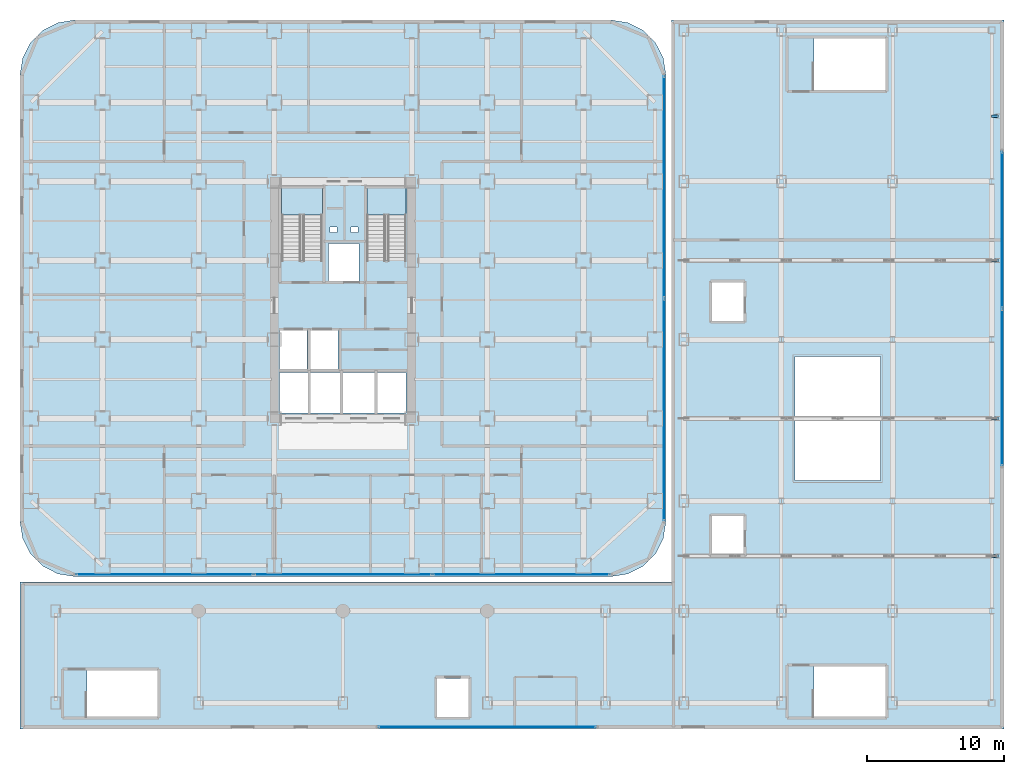
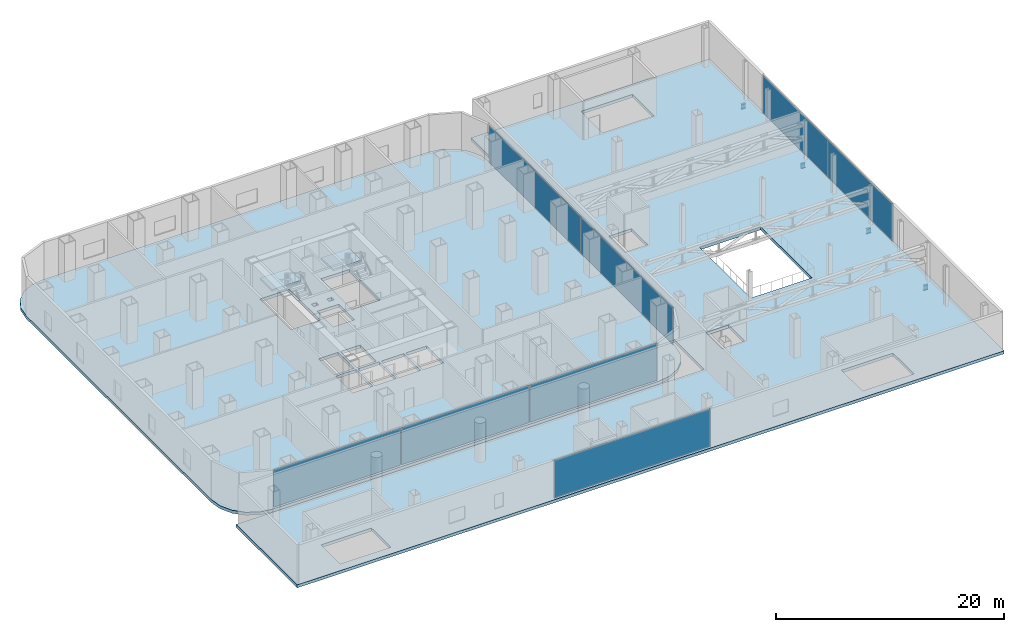
# One storey, part 20 of 28: 8 plates, 4 beams, 4 slabs, 6 elements without a shape of their own.
"""IFC4 building model written with IfcOpenShell, lengths in metres."""

from ifc_helpers import new_model, si_unit, direction, frame, origin, origin_2d, place, context, subcontext, project, spatial, polyline, rectangle, i_section, outline, extrude, source, transform, mapped, material, layer, layer_set, material_profile, profile_set, type_object, element, aggregate, save


model = new_model("IFC4")

# Units and contexts
model_context = context("Model", 3, precision=1e-05, world=origin(), true_north=direction((0.0, 1.0)))
body_context = subcontext(model_context, "Body", "Model", "MODEL_VIEW")
ifc_project = project(units=[si_unit("LENGTHUNIT", "METRE"), si_unit("AREAUNIT", "SQUARE_METRE"), si_unit("VOLUMEUNIT", "CUBIC_METRE"), si_unit("PLANEANGLEUNIT", "RADIAN"), si_unit("MASSUNIT", "GRAM", prefix="KILO")], contexts=[model_context])

# Site, building, storey
site_placement = place(None, origin())
site = spatial("IfcSite", under=ifc_project, at=site_placement, CompositionType="ELEMENT")
building_placement = place(site_placement, origin())
building = spatial("IfcBuilding", under=site, at=building_placement, Name="Kolveth Station Tower", CompositionType="ELEMENT")
storey_placement = place(building_placement, frame((0.0, 0.0, 18.0)))
storey = spatial("IfcBuildingStorey", under=building, at=storey_placement, Name="L04", CompositionType="ELEMENT", Elevation=18.0)

# Beams
ifc_material_1 = material(Name="Steel S355", Category="steel")
ifc_material_profile = material_profile(ifc_material_1, i_section(OverallWidth=0.2099609375, OverallDepth=0.537109375, WebThickness=0.010986328125, FlangeThickness=0.017333984375, at=origin_2d()), Name="W530x101")
ifc_profile_set = profile_set([ifc_material_profile], Name="Steel S355")
beam_type = type_object("IfcBeamType", Name="Beam_B6", PredefinedType="BEAM", material=ifc_profile_set)
shared_shape_1 = source(origin(), body_context, "Body", "SweptSolid", [
    extrude(i_section(OverallWidth=0.2099609375, OverallDepth=0.537109375, WebThickness=0.010986328125, FlangeThickness=0.017333984375, at=origin_2d()), origin(), (0.0, 0.0, 1.0), 0.449951171875),
])
for number, where, z_axis, x_axis, name in (
    (1, (70.699951171875, 1.5, -0.58837890625), (1.0, 0.0, 0.0), (0.0, 1.0, 0.0), "L04 Pilaster Tie Beam SBM-L04-SPL-1"),
    (2, (70.699951171875, 11.5, -0.58837890625), (1.0, 0.0, 0.0), (0.0, 1.0, 0.0), "L04 Pilaster Tie Beam SBM-L04-SPL-2"),
    (3, (70.699951171875, 23.0, -0.58837890625), (1.0, 0.0, 0.0), (0.0, 1.0, 0.0), "L04 Pilaster Tie Beam SBM-L04-SPL-3"),
    (4, (70.699951171875, 33.5, -0.58837890625), (1.0, 0.0, 0.0), (0.0, 1.0, 0.0), "L04 Pilaster Tie Beam SBM-L04-SPL-4"),
):
    element("IfcBeam", number, at=place(storey_placement, frame(where, z_axis=z_axis, x_axis=x_axis)), inside=storey, type_object=beam_type, Name=name, PredefinedType="BEAM", context=body_context, shape_type="MappedRepresentation", body=[
        mapped(shared_shape_1, transform((0.0, 0.0, 0.0), x_axis=(1.0, 0.0, 0.0), y_axis=(0.0, 1.0, 0.0), z_axis=(0.0, 0.0, 1.0), scale=1.0)),
    ])

# Slabs
ifc_material_2 = material(Name="Concrete C50/60", Category="concrete")
ifc_layer_1 = layer(ifc_material_2, 0.320068359375)
ifc_layer_set_1 = layer_set([ifc_layer_1], Name="Concrete C50/60")
slab_type_1 = type_object("IfcSlabType", Name="Slab_SF-320", PredefinedType="FLOOR", material=ifc_layer_set_1)
slab_1_placement = place(storey_placement, frame((0.0, 0.0, -0.320068359375)))
element("IfcSlab", 5, at=slab_1_placement, inside=storey, type_object=slab_type_1, Name="L04 Tower Structural Floor Slab", PredefinedType="FLOOR", context=body_context, shape_type="SweptSolid", body=[
    extrude(outline(polyline([(43.0, 0.0), (44.236083984375, 0.19580078125), (45.35107421875, 0.763916015625), (46.236083984375, 1.64892578125), (46.80419921875, 2.763916015625), (47.0, 4.0), (47.0, 36.5), (46.80419921875, 37.736083984375), (46.236083984375, 38.85107421875), (45.35107421875, 39.736083984375), (44.236083984375, 40.30419921875), (43.0, 40.5), (4.0, 40.5), (2.763916015625, 40.30419921875), (1.64892578125, 39.736083984375), (0.763916015625, 38.85107421875), (0.19580078125, 37.736083984375), (0.0, 36.5), (0.0, 4.0), (0.19580078125, 2.763916015625), (0.763916015625, 1.64892578125), (1.64892578125, 0.763916015625), (2.763916015625, 0.19580078125), (4.0, 0.0), (43.0, 0.0)]), holes=[polyline([(19.0400390625, 22.985107421875), (22.0, 22.985107421875), (22.0, 28.39990234375), (19.0400390625, 28.39990234375), (19.0400390625, 22.985107421875)]), polyline([(25.239990234375, 22.985107421875), (28.10009765625, 22.985107421875), (28.10009765625, 28.39990234375), (25.239990234375, 28.39990234375), (25.239990234375, 22.985107421875)]), polyline([(18.89990234375, 15.10009765625), (20.89990234375, 15.10009765625), (20.89990234375, 17.89990234375), (18.89990234375, 17.89990234375), (18.89990234375, 15.10009765625)]), polyline([(21.14990234375, 15.10009765625), (23.14990234375, 15.10009765625), (23.14990234375, 17.89990234375), (21.14990234375, 17.89990234375), (21.14990234375, 15.10009765625)]), polyline([(22.449951171875, 21.5), (24.64990234375, 21.5), (24.64990234375, 24.25), (22.449951171875, 24.25), (22.449951171875, 21.5)]), polyline([(18.89990234375, 11.89990234375), (20.949951171875, 11.89990234375), (20.949951171875, 14.85009765625), (18.89990234375, 14.85009765625), (18.89990234375, 11.89990234375)]), polyline([(21.14990234375, 11.89990234375), (23.300048828125, 11.89990234375), (23.300048828125, 14.85009765625), (21.14990234375, 14.85009765625), (21.14990234375, 11.89990234375)]), polyline([(23.5, 11.89990234375), (25.800048828125, 11.89990234375), (25.800048828125, 14.85009765625), (23.5, 14.85009765625), (23.5, 11.89990234375)]), polyline([(26.0, 11.89990234375), (28.10009765625, 11.89990234375), (28.10009765625, 14.85009765625), (26.0, 14.85009765625), (26.0, 11.89990234375)]), polyline([(22.550048828125, 25.050048828125), (23.050048828125, 25.050048828125), (23.050048828125, 25.449951171875), (22.550048828125, 25.449951171875), (22.550048828125, 25.050048828125)]), polyline([(24.10009765625, 25.050048828125), (24.60009765625, 25.050048828125), (24.60009765625, 25.449951171875), (24.10009765625, 25.449951171875), (24.10009765625, 25.050048828125)])]), origin(), (0.0, 0.0, 1.0), 0.320068359375),
])
slab_2_placement = place(storey_placement, frame((0.0, 0.0, -0.320068359375)))
element("IfcSlab", 6, at=slab_2_placement, inside=storey, type_object=slab_type_1, Name="L04 Intermodal Station Floor Slab", PredefinedType="FLOOR", context=body_context, shape_type="SweptSolid", body=[
    extrude(outline(polyline([(0.0, -11.10009765625), (71.60009765625, -11.10009765625), (71.60009765625, 40.5), (47.39990234375, 40.5), (47.39990234375, -0.39990234375), (0.0, -0.39990234375), (0.0, -11.10009765625)]), holes=[polyline([(57.784912109375, 35.39990234375), (63.0, 35.39990234375), (63.0, 39.159912109375), (57.784912109375, 39.159912109375), (57.784912109375, 35.39990234375)]), polyline([(57.784912109375, -10.199951171875), (63.0, -10.199951171875), (63.0, -6.5400390625), (57.784912109375, -6.5400390625), (57.784912109375, -10.199951171875)]), polyline([(4.885009765625, -10.199951171875), (10.0, -10.199951171875), (10.0, -6.840087890625), (4.885009765625, -6.840087890625), (4.885009765625, -10.199951171875)]), polyline([(50.35009765625, 1.60009765625), (52.64990234375, 1.60009765625), (52.64990234375, 4.39990234375), (50.35009765625, 4.39990234375), (50.35009765625, 1.60009765625)]), polyline([(50.35009765625, 18.60009765625), (52.64990234375, 18.60009765625), (52.64990234375, 21.39990234375), (50.35009765625, 21.39990234375), (50.35009765625, 18.60009765625)]), polyline([(30.35009765625, -10.199951171875), (32.64990234375, -10.199951171875), (32.64990234375, -7.39990234375), (30.35009765625, -7.39990234375), (30.35009765625, -10.199951171875)]), polyline([(56.39990234375, 7.0), (62.60009765625, 7.0), (62.60009765625, 16.0), (56.39990234375, 16.0), (56.39990234375, 7.0)])]), origin(), (0.0, 0.0, 1.0), 0.320068359375),
])

# Stair, slab
ifc_material_3 = material(Name="Concrete C40/50", Category="concrete")
stair_type_1 = type_object("IfcStairType", Name="Stair_ST2", PredefinedType="HALF_TURN_STAIR", material=ifc_material_3)
stair_1_placement = place(storey_placement, origin())
stair_1 = element("IfcStair", 7, at=stair_1_placement, inside=storey, type_object=stair_type_1, Name="L04 Tower Exit Stair ST2", PredefinedType="HALF_TURN_STAIR")
ifc_layer_2 = layer(ifc_material_3, 0.18994140625)
ifc_layer_set_2 = layer_set([ifc_layer_2], Name="Concrete C40/50")
slab_type_2 = type_object("IfcSlabType", Name="Slab_SL-190", PredefinedType="LANDING", material=ifc_layer_set_2)
slab_3_placement = place(storey_placement, frame((0.0, 0.0, 2.050048828125)))
slab_3 = element("IfcSlab", 8, at=slab_3_placement, type_object=slab_type_2, Name="ST2 landing 1", PredefinedType="LANDING", context=body_context, shape_type="SweptSolid", body=[
    extrude(outline(polyline([(28.10009765625, 26.31005859375), (28.10009765625, 28.39990234375), (25.239990234375, 28.39990234375), (25.239990234375, 26.31005859375), (28.10009765625, 26.31005859375)])), origin(), (0.0, 0.0, 1.0), 0.199951171875),
])
aggregate(stair_1, [slab_3])

stair_type_2 = type_object("IfcStairType", Name="Stair_ST1", PredefinedType="HALF_TURN_STAIR", material=ifc_material_3)
stair_2_placement = place(storey_placement, origin())
stair_2 = element("IfcStair", 9, at=stair_2_placement, inside=storey, type_object=stair_type_2, Name="L04 Tower Exit Stair ST1", PredefinedType="HALF_TURN_STAIR")
ifc_layer_3 = layer(ifc_material_3, 0.205078125)
ifc_layer_set_3 = layer_set([ifc_layer_3], Name="Concrete C40/50")
slab_type_3 = type_object("IfcSlabType", Name="Slab_SL-205", PredefinedType="LANDING", material=ifc_layer_set_3)
slab_4_placement = place(storey_placement, frame((0.0, 0.0, 2.050048828125)))
slab_4 = element("IfcSlab", 10, at=slab_4_placement, type_object=slab_type_3, Name="ST1 landing 1", PredefinedType="LANDING", context=body_context, shape_type="SweptSolid", body=[
    extrude(outline(polyline([(22.0, 26.31005859375), (22.0, 28.39990234375), (19.0400390625, 28.39990234375), (19.0400390625, 26.31005859375), (22.0, 26.31005859375)])), origin(), (0.0, 0.0, 1.0), 0.199951171875),
])
aggregate(stair_2, [slab_4])

# Curtain wall, plates
ifc_material_4 = material(Name="Black anodized aluminium 6063-T6 and clear station glass", Category="aluminium")
ifc_layer_4 = layer(ifc_material_4, 0.239990234375)
ifc_layer_set_4 = layer_set([ifc_layer_4], Name="Black anodized aluminium 6063-T6 and clear station glass")
curtain_wall_type = type_object("IfcCurtainWallType", Name="CurtainWall_CW-ST", PredefinedType="NOTDEFINED", material=ifc_layer_set_4)
curtain_wall_1_placement = place(storey_placement, origin())
curtain_wall_1 = element("IfcCurtainWall", 11, at=curtain_wall_1_placement, inside=storey, type_object=curtain_wall_type, Name="L04 Tower Podium South Storefront Curtain Wall", PredefinedType="NOTDEFINED")
ifc_material_5 = material(Name="Architectural low-E dark glass", Category="glass")
ifc_layer_5 = layer(ifc_material_5, 0.031982421875)
ifc_layer_set_5 = layer_set([ifc_layer_5], Name="Architectural low-E dark glass")
plate_type = type_object("IfcPlateType", Name="Panel_GL-ST", PredefinedType="CURTAIN_PANEL", material=ifc_layer_set_5)
shared_shape_2 = source(origin(), body_context, "Body", "SweptSolid", [
    extrude(rectangle(XDim=12.864013671875, YDim=0.031982421875, at=origin_2d()), origin(), (0.0, 0.0, 1.0), 3.964111328125),
])
plate_1_placement = place(storey_placement, frame((10.52490234375, 0.139892578125, 0.087890625), z_axis=(0.0, 0.0, 1.0), x_axis=(1.0, 0.0, 0.0)))
plate_1 = element("IfcPlate", 12, at=plate_1_placement, type_object=plate_type, Name="CW-ST panel 1.1", PredefinedType="CURTAIN_PANEL", context=body_context, shape_type="MappedRepresentation", body=[
    mapped(shared_shape_2, transform((0.0, 0.0, 0.0), x_axis=(1.0, 0.0, 0.0), y_axis=(0.0, 1.0, 0.0), z_axis=(0.0, 0.0, 1.0), scale=1.0)),
])
plate_2_placement = place(storey_placement, frame((36.47509765625, 0.139892578125, 0.087890625), z_axis=(0.0, 0.0, 1.0), x_axis=(1.0, 0.0, 0.0)))
plate_2 = element("IfcPlate", 13, at=plate_2_placement, type_object=plate_type, Name="CW-ST panel 3.1", PredefinedType="CURTAIN_PANEL", context=body_context, shape_type="MappedRepresentation", body=[
    mapped(shared_shape_2, transform((0.0, 0.0, 0.0), x_axis=(1.0, 0.0, 0.0), y_axis=(0.0, 1.0, 0.0), z_axis=(0.0, 0.0, 1.0), scale=1.0)),
])
shared_shape_3 = source(origin(), body_context, "Body", "SweptSolid", [
    extrude(rectangle(XDim=12.9140625, YDim=0.031982421875, at=origin_2d()), origin(), (0.0, 0.0, 1.0), 3.964111328125),
])
plate_3_placement = place(storey_placement, frame((23.5, 0.139892578125, 0.087890625), z_axis=(0.0, 0.0, 1.0), x_axis=(1.0, 0.0, 0.0)))
plate_3 = element("IfcPlate", 14, at=plate_3_placement, type_object=plate_type, Name="CW-ST panel 2.1", PredefinedType="CURTAIN_PANEL", context=body_context, shape_type="MappedRepresentation", body=[
    mapped(shared_shape_3, transform((0.0, 0.0, 0.0), x_axis=(1.0, 0.0, 0.0), y_axis=(0.0, 1.0, 0.0), z_axis=(0.0, 0.0, 1.0), scale=1.0)),
])
aggregate(curtain_wall_1, [plate_1, plate_3, plate_2])

curtain_wall_2_placement = place(storey_placement, origin())
curtain_wall_2 = element("IfcCurtainWall", 15, at=curtain_wall_2_placement, inside=storey, type_object=curtain_wall_type, Name="L04 Tower Podium East Storefront Curtain Wall", PredefinedType="NOTDEFINED")
shared_shape_4 = source(origin(), body_context, "Body", "SweptSolid", [
    extrude(rectangle(XDim=16.114013671875, YDim=0.031982421875, at=origin_2d()), origin(), (0.0, 0.0, 1.0), 3.964111328125),
])
plate_4_placement = place(storey_placement, frame((46.860107421875, 12.14990234375, 0.087890625), z_axis=(0.0, 0.0, 1.0), x_axis=(0.0, 1.0, 0.0)))
plate_4 = element("IfcPlate", 16, at=plate_4_placement, type_object=plate_type, Name="CW-ST panel 1.1", PredefinedType="CURTAIN_PANEL", context=body_context, shape_type="MappedRepresentation", body=[
    mapped(shared_shape_4, transform((0.0, 0.0, 0.0), x_axis=(1.0, 0.0, 0.0), y_axis=(0.0, 1.0, 0.0), z_axis=(0.0, 0.0, 1.0), scale=1.0)),
])
plate_5_placement = place(storey_placement, frame((46.860107421875, 28.35009765625, 0.087890625), z_axis=(0.0, 0.0, 1.0), x_axis=(0.0, 1.0, 0.0)))
plate_5 = element("IfcPlate", 17, at=plate_5_placement, type_object=plate_type, Name="CW-ST panel 2.1", PredefinedType="CURTAIN_PANEL", context=body_context, shape_type="MappedRepresentation", body=[
    mapped(shared_shape_4, transform((0.0, 0.0, 0.0), x_axis=(1.0, 0.0, 0.0), y_axis=(0.0, 1.0, 0.0), z_axis=(0.0, 0.0, 1.0), scale=1.0)),
])
aggregate(curtain_wall_2, [plate_4, plate_5])

# Curtain wall, plate
curtain_wall_3_placement = place(storey_placement, origin())
curtain_wall_3 = element("IfcCurtainWall", 18, at=curtain_wall_3_placement, inside=storey, type_object=curtain_wall_type, Name="L04 Station South Concourse Curtain Wall", PredefinedType="NOTDEFINED")
shared_shape_5 = source(origin(), body_context, "Body", "SweptSolid", [
    extrude(rectangle(XDim=15.81396484375, YDim=0.031982421875, at=origin_2d()), origin(), (0.0, 0.0, 1.0), 4.02392578125),
])
plate_6_placement = place(storey_placement, frame((34.0, -10.949951171875, 0.088134765625), z_axis=(0.0, 0.0, 1.0), x_axis=(1.0, 0.0, 0.0)))
plate_6 = element("IfcPlate", 19, at=plate_6_placement, type_object=plate_type, Name="CW-ST panel 1.1", PredefinedType="CURTAIN_PANEL", context=body_context, shape_type="MappedRepresentation", body=[
    mapped(shared_shape_5, transform((0.0, 0.0, 0.0), x_axis=(1.0, 0.0, 0.0), y_axis=(0.0, 1.0, 0.0), z_axis=(0.0, 0.0, 1.0), scale=1.0)),
])
aggregate(curtain_wall_3, [plate_6])

# Curtain wall, plates
curtain_wall_4_placement = place(storey_placement, origin())
curtain_wall_4 = element("IfcCurtainWall", 20, at=curtain_wall_4_placement, inside=storey, type_object=curtain_wall_type, Name="L04 Station East Main Hall Curtain Wall", PredefinedType="NOTDEFINED")
shared_shape_6 = source(origin(), body_context, "Body", "SweptSolid", [
    extrude(rectangle(XDim=11.364013671875, YDim=0.031982421875, at=origin_2d()), origin(), (0.0, 0.0, 1.0), 4.02392578125),
])
plate_7_placement = place(storey_placement, frame((71.449951171875, 13.77490234375, 0.088134765625), z_axis=(0.0, 0.0, 1.0), x_axis=(0.0, 1.0, 0.0)))
plate_7 = element("IfcPlate", 21, at=plate_7_placement, type_object=plate_type, Name="CW-ST panel 1.1", PredefinedType="CURTAIN_PANEL", context=body_context, shape_type="MappedRepresentation", body=[
    mapped(shared_shape_6, transform((0.0, 0.0, 0.0), x_axis=(1.0, 0.0, 0.0), y_axis=(0.0, 1.0, 0.0), z_axis=(0.0, 0.0, 1.0), scale=1.0)),
])
plate_8_placement = place(storey_placement, frame((71.449951171875, 25.22509765625, 0.088134765625), z_axis=(0.0, 0.0, 1.0), x_axis=(0.0, 1.0, 0.0)))
plate_8 = element("IfcPlate", 22, at=plate_8_placement, type_object=plate_type, Name="CW-ST panel 2.1", PredefinedType="CURTAIN_PANEL", context=body_context, shape_type="MappedRepresentation", body=[
    mapped(shared_shape_6, transform((0.0, 0.0, 0.0), x_axis=(1.0, 0.0, 0.0), y_axis=(0.0, 1.0, 0.0), z_axis=(0.0, 0.0, 1.0), scale=1.0)),
])
aggregate(curtain_wall_4, [plate_7, plate_8])

save(model, "model.ifc")
